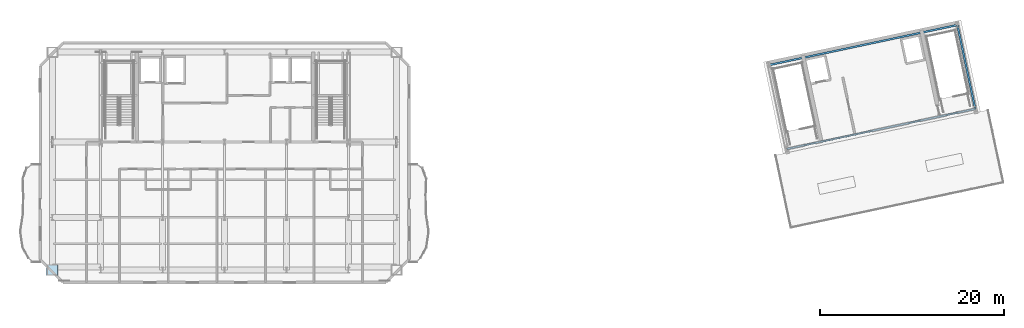
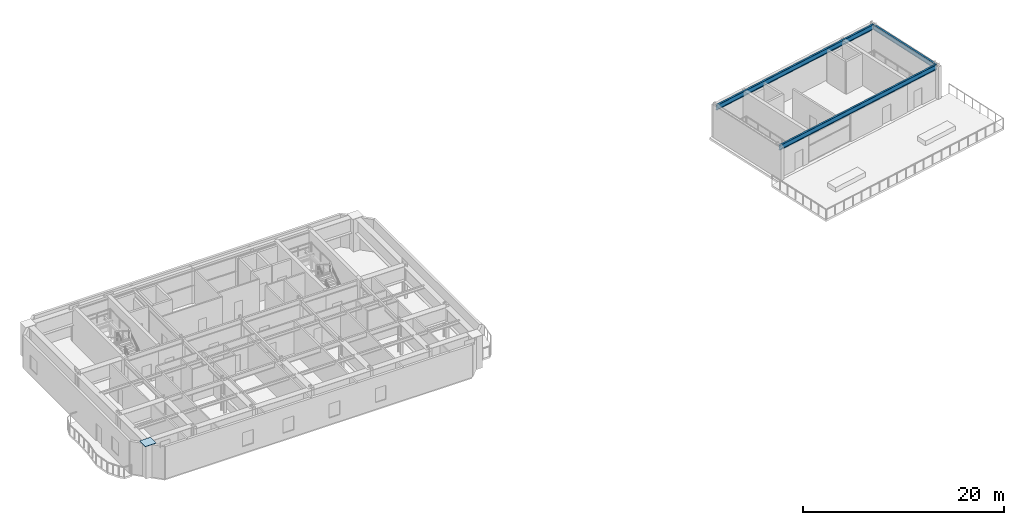
# One storey, part 7 of 16: 3 beams, 1 plate.
"""IFC4 building model written with IfcOpenShell, lengths in metres."""

from ifc_helpers import new_model, si_unit, direction, frame, origin, origin_2d, place, context, subcontext, project, spatial, rectangle, i_section, extrude, material, layer, layer_set, material_profile, profile_set, type_object, element, save


model = new_model("IFC4")

# Units and contexts
model_context = context("Model", 3, precision=1e-05, world=origin(), true_north=direction((0.0, 1.0)))
body_context = subcontext(model_context, "Body", "Model", "MODEL_VIEW")
ifc_project = project(units=[si_unit("LENGTHUNIT", "METRE"), si_unit("AREAUNIT", "SQUARE_METRE"), si_unit("VOLUMEUNIT", "CUBIC_METRE"), si_unit("PLANEANGLEUNIT", "RADIAN"), si_unit("MASSUNIT", "GRAM", prefix="KILO")], contexts=[model_context])

# Site, building, storey
site_placement = place(None, origin())
site = spatial("IfcSite", under=ifc_project, at=site_placement, CompositionType="ELEMENT")
building_placement = place(site_placement, origin())
building = spatial("IfcBuilding", under=site, at=building_placement, Name="Haevon Station Towers", CompositionType="ELEMENT")
storey_placement = place(building_placement, frame((0.0, 0.0, 235.199951171875)))
storey = spatial("IfcBuildingStorey", under=building, at=storey_placement, Name="L65", CompositionType="ELEMENT", Elevation=235.199951171875)

# Beams
ifc_material_1 = material(Name="Steel S355", Category="steel")
ifc_material_profile = material_profile(ifc_material_1, i_section(OverallWidth=0.199951171875, OverallDepth=0.60009765625, WebThickness=0.010986328125, FlangeThickness=0.01708984375, at=origin_2d()), Name="H-600x200x11x17")
ifc_profile_set = profile_set([ifc_material_profile], Name="Steel S355")
beam_type = type_object("IfcBeamType", Name="BM-G600", PredefinedType="BEAM", material=ifc_profile_set)
beam_1_placement = place(storey_placement, frame((98.75244140625, 37.4423828125, 3.650146484375), z_axis=(0.978146794194, 0.207915485254, 0.0), x_axis=(-0.207915485254, 0.978146794194, 0.0)))
element("IfcBeam", 1, at=beam_1_placement, inside=storey, type_object=beam_type, Name="BM-T2-HH-L65-1", PredefinedType="BEAM", context=body_context, shape_type="SweptSolid", body=[
    extrude(i_section(OverallWidth=0.199951171875, OverallDepth=0.60009765625, WebThickness=0.010986328125, FlangeThickness=0.01708984375, at=origin_2d()), origin(), (0.0, 0.0, 1.0), 21.0),
])
beam_2_placement = place(storey_placement, frame((119.29345703125, 41.80859375, 3.650146484375), z_axis=(-0.207922149488, 0.978145377616, 0.0), x_axis=(-0.978145377616, -0.207922149488, 0.0)))
element("IfcBeam", 2, at=beam_2_placement, inside=storey, type_object=beam_type, Name="BM-T2-HH-L65-2", PredefinedType="BEAM", context=body_context, shape_type="SweptSolid", body=[
    extrude(i_section(OverallWidth=0.199951171875, OverallDepth=0.60009765625, WebThickness=0.010986328125, FlangeThickness=0.01708984375, at=origin_2d()), origin(), (0.0, 0.0, 1.0), 9.35009765625),
])
beam_3_placement = place(storey_placement, frame((117.349365234375, 50.954345703125, 3.650146484375), z_axis=(-0.978146794194, -0.207915485254, 0.0), x_axis=(0.207915485254, -0.978146794194, 0.0)))
element("IfcBeam", 3, at=beam_3_placement, inside=storey, type_object=beam_type, Name="BM-T2-HH-L65-3", PredefinedType="BEAM", context=body_context, shape_type="SweptSolid", body=[
    extrude(i_section(OverallWidth=0.199951171875, OverallDepth=0.60009765625, WebThickness=0.010986328125, FlangeThickness=0.01708984375, at=origin_2d()), origin(), (0.0, 0.0, 1.0), 21.0),
])

# Plate
ifc_material_2 = material(Name="PL-FLG1", Category="steel")
ifc_layer = layer(ifc_material_2, 0.044921875)
ifc_layer_set = layer_set([ifc_layer], Name="PL-FLG1")
plate_type = type_object("IfcPlateType", Name="PL-FLG1", PredefinedType="USERDEFINED", material=ifc_layer_set)
plate_placement = place(storey_placement, frame((18.75, 24.25, 3.949951171875), z_axis=(0.0, 0.0, 1.0), x_axis=(1.0, 0.0, 0.0)))
element("IfcPlate", 4, at=plate_placement, inside=storey, type_object=plate_type, Name="PL-CAP-T1-L65-01-01", ObjectType="FLANGE_PLATE", PredefinedType="USERDEFINED", context=body_context, shape_type="SweptSolid", body=[
    extrude(rectangle(XDim=1.239990234375, YDim=1.139892578125, at=origin_2d()), origin(), (0.0, 0.0, 1.0), 0.0400390625),
])

save(model, "model.ifc")
